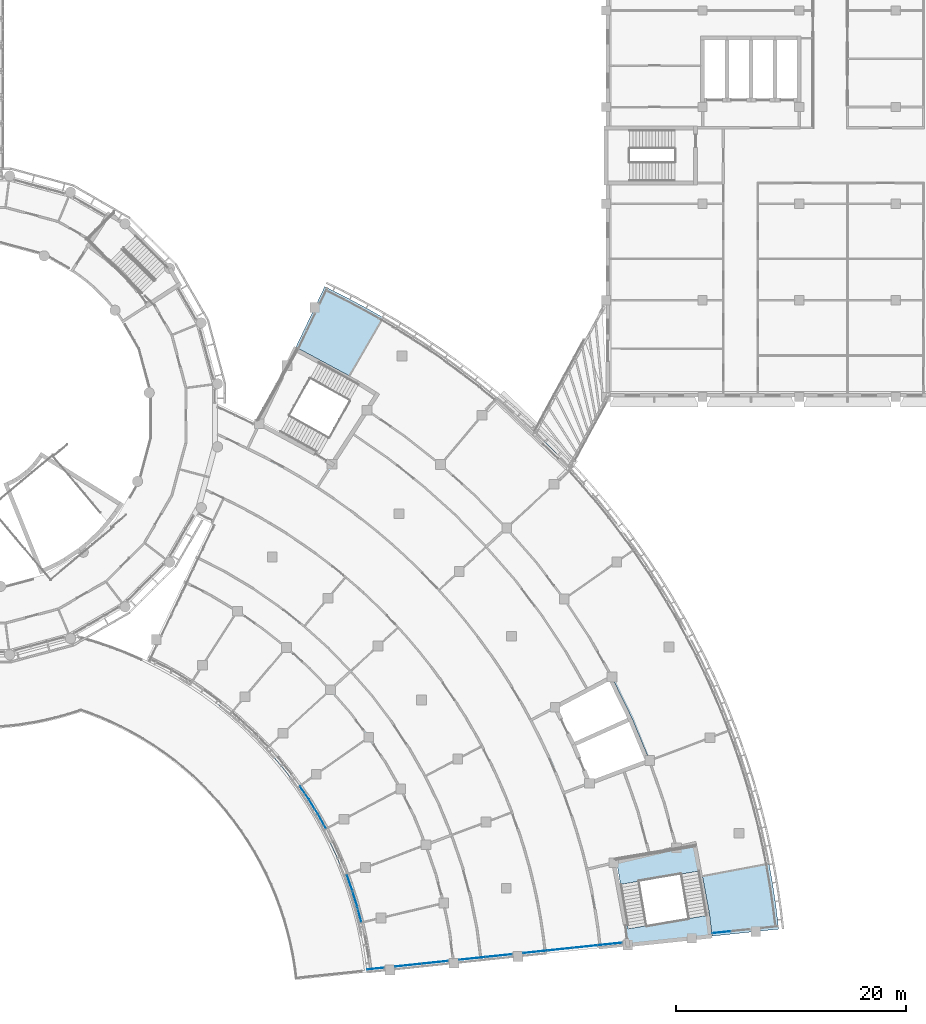
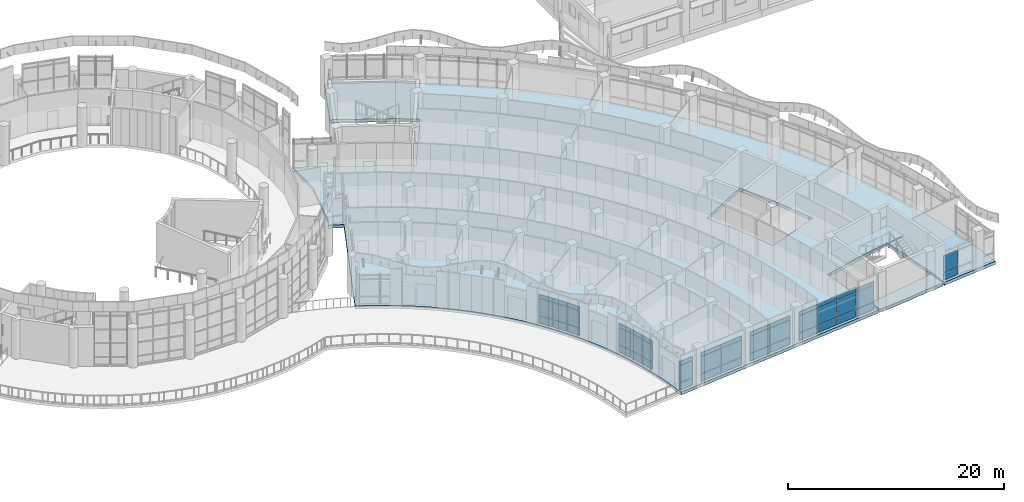
# One storey, part 50 of 136: 47 plates, 3 slabs, 8 elements without a shape of their own.
"""IFC4 building model written with IfcOpenShell, lengths in metres."""

from ifc_helpers import new_model, si_unit, direction, frame, origin, origin_2d, place, context, subcontext, project, spatial, polyline, rectangle, outline, extrude, material, layer, layer_set, type_object, element, aggregate, save


model = new_model("IFC4")

# Units and contexts
model_context = context("Model", 3, precision=1e-05, world=origin(), true_north=direction((0.0, 1.0)))
body_context = subcontext(model_context, "Body", "Model", "MODEL_VIEW")
ifc_project = project(units=[si_unit("LENGTHUNIT", "METRE"), si_unit("AREAUNIT", "SQUARE_METRE"), si_unit("VOLUMEUNIT", "CUBIC_METRE"), si_unit("PLANEANGLEUNIT", "RADIAN"), si_unit("MASSUNIT", "GRAM", prefix="KILO")], contexts=[model_context])

# Site, building, storey
site_placement = place(None, origin())
site = spatial("IfcSite", under=ifc_project, at=site_placement, CompositionType="ELEMENT")
building_placement = place(site_placement, origin())
building = spatial("IfcBuilding", under=site, at=building_placement, Name="Bougainvillea Quay General Hospital", CompositionType="ELEMENT")
storey_placement = place(building_placement, frame((0.0, 0.0, 5.39990234375)))
storey = spatial("IfcBuildingStorey", under=building, at=storey_placement, Name="L01", CompositionType="ELEMENT", Elevation=5.39990234375)

# Curtain wall, plates
ifc_material_1 = material(Name="Aluminium curtain wall system, powder-coated glazed", Category="aluminium")
curtain_wall_type_1 = type_object("IfcCurtainWallType", Name="Unitised curtain wall CW-2100", PredefinedType="NOTDEFINED", material=ifc_material_1)
curtain_wall_1_placement = place(storey_placement, origin())
curtain_wall_1 = element("IfcCurtainWall", 1, at=curtain_wall_1_placement, inside=storey, type_object=curtain_wall_type_1, Name="CW-E05 a21b4", PredefinedType="NOTDEFINED")
ifc_material_2 = material(Name="Insulated aluminium spandrel panel, white", Category="aluminium")
ifc_layer_1 = layer(ifc_material_2, 0.028076171875)
ifc_layer_set_1 = layer_set([ifc_layer_1], Name="Insulated aluminium spandrel panel, white")
plate_type_1 = type_object("IfcPlateType", Name="Insulated spandrel panel white 28", PredefinedType="CURTAIN_PANEL", material=ifc_layer_set_1)
plate_1_placement = place(storey_placement, frame((137.585205078125, 41.152099609375, 0.06005859375), z_axis=(0.0, 0.0, 1.0), x_axis=(0.559675123314, -0.828712107033, 0.0)))
plate_1 = element("IfcPlate", 2, at=plate_1_placement, type_object=plate_type_1, Name="CW-E05 spandrel panel 1.1", PredefinedType="CURTAIN_PANEL", context=body_context, shape_type="SweptSolid", body=[
    extrude(rectangle(XDim=1.366943359375, YDim=0.028076171875, at=origin_2d()), origin(), (0.0, 0.0, 1.0), 0.81005859375),
])
plate_2_placement = place(storey_placement, frame((137.585205078125, 41.152099609375, 2.88037109375), z_axis=(0.0, 0.0, 1.0), x_axis=(0.559675123314, -0.828712107033, 0.0)))
plate_2 = element("IfcPlate", 3, at=plate_2_placement, type_object=plate_type_1, Name="CW-E05 spandrel panel 1.3", PredefinedType="CURTAIN_PANEL", context=body_context, shape_type="SweptSolid", body=[
    extrude(rectangle(XDim=1.366943359375, YDim=0.028076171875, at=origin_2d()), origin(), (0.0, 0.0, 1.0), 0.409912109375),
])
plate_3_placement = place(storey_placement, frame((138.3662109375, 39.9404296875, 0.06005859375), z_axis=(0.0, 0.0, 1.0), x_axis=(0.523926442936, -0.851763513185, 0.0)))
plate_3 = element("IfcPlate", 4, at=plate_3_placement, type_object=plate_type_1, Name="CW-E05 spandrel panel 2.1", PredefinedType="CURTAIN_PANEL", context=body_context, shape_type="SweptSolid", body=[
    extrude(rectangle(XDim=1.39697265625, YDim=0.028076171875, at=origin_2d()), origin(), (0.0, 0.0, 1.0), 0.81005859375),
])
plate_4_placement = place(storey_placement, frame((138.3662109375, 39.9404296875, 2.88037109375), z_axis=(0.0, 0.0, 1.0), x_axis=(0.523926442936, -0.851763513185, 0.0)))
plate_4 = element("IfcPlate", 5, at=plate_4_placement, type_object=plate_type_1, Name="CW-E05 spandrel panel 2.3", PredefinedType="CURTAIN_PANEL", context=body_context, shape_type="SweptSolid", body=[
    extrude(rectangle(XDim=1.39697265625, YDim=0.028076171875, at=origin_2d()), origin(), (0.0, 0.0, 1.0), 0.409912109375),
])
plate_5_placement = place(storey_placement, frame((139.095458984375, 38.697021484375, 0.06005859375), z_axis=(0.0, 0.0, 1.0), x_axis=(0.487229803858, -0.873273793396, 0.0)))
plate_5 = element("IfcPlate", 6, at=plate_5_placement, type_object=plate_type_1, Name="CW-E05 spandrel panel 3.1", PredefinedType="CURTAIN_PANEL", context=body_context, shape_type="SweptSolid", body=[
    extrude(rectangle(XDim=1.366943359375, YDim=0.028076171875, at=origin_2d()), origin(), (0.0, 0.0, 1.0), 0.81005859375),
])
plate_6_placement = place(storey_placement, frame((139.095458984375, 38.697021484375, 2.88037109375), z_axis=(0.0, 0.0, 1.0), x_axis=(0.487229803858, -0.873273793396, 0.0)))
plate_6 = element("IfcPlate", 7, at=plate_6_placement, type_object=plate_type_1, Name="CW-E05 spandrel panel 3.3", PredefinedType="CURTAIN_PANEL", context=body_context, shape_type="SweptSolid", body=[
    extrude(rectangle(XDim=1.366943359375, YDim=0.028076171875, at=origin_2d()), origin(), (0.0, 0.0, 1.0), 0.409912109375),
])

curtain_wall_2_placement = place(storey_placement, origin())
curtain_wall_2 = element("IfcCurtainWall", 8, at=curtain_wall_2_placement, inside=storey, type_object=curtain_wall_type_1, Name="CW-E07 a21b6", PredefinedType="NOTDEFINED")
plate_7_placement = place(storey_placement, frame((141.501220703125, 33.364990234375, 0.06005859375), z_axis=(0.0, 0.0, 1.0), x_axis=(0.332314775986, -0.943168537252, 0.0)))
plate_7 = element("IfcPlate", 9, at=plate_7_placement, type_object=plate_type_1, Name="CW-E07 spandrel panel 1.1", PredefinedType="CURTAIN_PANEL", context=body_context, shape_type="SweptSolid", body=[
    extrude(rectangle(XDim=1.366943359375, YDim=0.028076171875, at=origin_2d()), origin(), (0.0, 0.0, 1.0), 0.81005859375),
])
plate_8_placement = place(storey_placement, frame((141.501220703125, 33.364990234375, 2.88037109375), z_axis=(0.0, 0.0, 1.0), x_axis=(0.332314775986, -0.943168537252, 0.0)))
plate_8 = element("IfcPlate", 10, at=plate_8_placement, type_object=plate_type_1, Name="CW-E07 spandrel panel 1.3", PredefinedType="CURTAIN_PANEL", context=body_context, shape_type="SweptSolid", body=[
    extrude(rectangle(XDim=1.366943359375, YDim=0.028076171875, at=origin_2d()), origin(), (0.0, 0.0, 1.0), 0.409912109375),
])
plate_9_placement = place(storey_placement, frame((141.950927734375, 31.995361328125, 0.06005859375), z_axis=(0.0, 0.0, 1.0), x_axis=(0.291904331163, -0.956447521534, 0.0)))
plate_9 = element("IfcPlate", 11, at=plate_9_placement, type_object=plate_type_1, Name="CW-E07 spandrel panel 2.1", PredefinedType="CURTAIN_PANEL", context=body_context, shape_type="SweptSolid", body=[
    extrude(rectangle(XDim=1.39697265625, YDim=0.028076171875, at=origin_2d()), origin(), (0.0, 0.0, 1.0), 0.81005859375),
])
plate_10_placement = place(storey_placement, frame((141.950927734375, 31.995361328125, 2.88037109375), z_axis=(0.0, 0.0, 1.0), x_axis=(0.291904331163, -0.956447521534, 0.0)))
plate_10 = element("IfcPlate", 12, at=plate_10_placement, type_object=plate_type_1, Name="CW-E07 spandrel panel 2.3", PredefinedType="CURTAIN_PANEL", context=body_context, shape_type="SweptSolid", body=[
    extrude(rectangle(XDim=1.39697265625, YDim=0.028076171875, at=origin_2d()), origin(), (0.0, 0.0, 1.0), 0.409912109375),
])
plate_11_placement = place(storey_placement, frame((142.342529296875, 30.608154296875, 0.06005859375), z_axis=(0.0, 0.0, 1.0), x_axis=(0.250965733479, -0.967995971386, 0.0)))
plate_11 = element("IfcPlate", 13, at=plate_11_placement, type_object=plate_type_1, Name="CW-E07 spandrel panel 3.1", PredefinedType="CURTAIN_PANEL", context=body_context, shape_type="SweptSolid", body=[
    extrude(rectangle(XDim=1.366943359375, YDim=0.028076171875, at=origin_2d()), origin(), (0.0, 0.0, 1.0), 0.81005859375),
])
plate_12_placement = place(storey_placement, frame((142.342529296875, 30.608154296875, 2.88037109375), z_axis=(0.0, 0.0, 1.0), x_axis=(0.250965733479, -0.967995971386, 0.0)))
plate_12 = element("IfcPlate", 14, at=plate_12_placement, type_object=plate_type_1, Name="CW-E07 spandrel panel 3.3", PredefinedType="CURTAIN_PANEL", context=body_context, shape_type="SweptSolid", body=[
    extrude(rectangle(XDim=1.366943359375, YDim=0.028076171875, at=origin_2d()), origin(), (0.0, 0.0, 1.0), 0.409912109375),
])

curtain_wall_type_2 = type_object("IfcCurtainWallType", Name="Unitised curtain wall CW-1556", PredefinedType="NOTDEFINED", material=ifc_material_1)
curtain_wall_3_placement = place(storey_placement, origin())
curtain_wall_3 = element("IfcCurtainWall", 15, at=curtain_wall_3_placement, inside=storey, type_object=curtain_wall_type_2, Name="CW-AE 00", PredefinedType="NOTDEFINED")
plate_13_placement = place(storey_placement, frame((143.76123046875, 25.884033203125, 0.06005859375), z_axis=(0.0, 0.0, 1.0), x_axis=(0.9945220309, 0.104527173765, 0.0)))
plate_13 = element("IfcPlate", 16, at=plate_13_placement, type_object=plate_type_1, Name="CW-AE spandrel panel 1.1", PredefinedType="CURTAIN_PANEL", context=body_context, shape_type="SweptSolid", body=[
    extrude(rectangle(XDim=1.435302734375, YDim=0.028076171875, at=origin_2d()), origin(), (0.0, 0.0, 1.0), 0.81005859375),
])
plate_14_placement = place(storey_placement, frame((143.76123046875, 25.884033203125, 2.88037109375), z_axis=(0.0, 0.0, 1.0), x_axis=(0.9945220309, 0.104527173765, 0.0)))
plate_14 = element("IfcPlate", 17, at=plate_14_placement, type_object=plate_type_1, Name="CW-AE spandrel panel 1.3", PredefinedType="CURTAIN_PANEL", context=body_context, shape_type="SweptSolid", body=[
    extrude(rectangle(XDim=1.435302734375, YDim=0.028076171875, at=origin_2d()), origin(), (0.0, 0.0, 1.0), 0.409912109375),
])

curtain_wall_type_3 = type_object("IfcCurtainWallType", Name="Unitised curtain wall CW-2355", PredefinedType="NOTDEFINED", material=ifc_material_1)
curtain_wall_4_placement = place(storey_placement, origin())
curtain_wall_4 = element("IfcCurtainWall", 18, at=curtain_wall_4_placement, inside=storey, type_object=curtain_wall_type_3, Name="CW-AE 01", PredefinedType="NOTDEFINED")
plate_15_placement = place(storey_placement, frame((146.605712890625, 26.182861328125, 0.06005859375), z_axis=(0.0, 0.0, 1.0), x_axis=(0.9945220309, 0.104527173765, 0.0)))
plate_15 = element("IfcPlate", 19, at=plate_15_placement, type_object=plate_type_1, Name="CW-AE spandrel panel 1.1", PredefinedType="CURTAIN_PANEL", context=body_context, shape_type="SweptSolid", body=[
    extrude(rectangle(XDim=2.264892578125, YDim=0.028076171875, at=origin_2d()), origin(), (0.0, 0.0, 1.0), 0.81005859375),
])
plate_16_placement = place(storey_placement, frame((146.605712890625, 26.182861328125, 2.88037109375), z_axis=(0.0, 0.0, 1.0), x_axis=(0.9945220309, 0.104527173765, 0.0)))
plate_16 = element("IfcPlate", 20, at=plate_16_placement, type_object=plate_type_1, Name="CW-AE spandrel panel 1.3", PredefinedType="CURTAIN_PANEL", context=body_context, shape_type="SweptSolid", body=[
    extrude(rectangle(XDim=2.264892578125, YDim=0.028076171875, at=origin_2d()), origin(), (0.0, 0.0, 1.0), 0.409912109375),
])
plate_17_placement = place(storey_placement, frame((148.917724609375, 26.42578125, 0.06005859375), z_axis=(0.0, 0.0, 1.0), x_axis=(0.9945220309, 0.104527173765, 0.0)))
plate_17 = element("IfcPlate", 21, at=plate_17_placement, type_object=plate_type_1, Name="CW-AE spandrel panel 2.1", PredefinedType="CURTAIN_PANEL", context=body_context, shape_type="SweptSolid", body=[
    extrude(rectangle(XDim=2.264892578125, YDim=0.028076171875, at=origin_2d()), origin(), (0.0, 0.0, 1.0), 0.81005859375),
])
plate_18_placement = place(storey_placement, frame((148.917724609375, 26.42578125, 2.88037109375), z_axis=(0.0, 0.0, 1.0), x_axis=(0.9945220309, 0.104527173765, 0.0)))
plate_18 = element("IfcPlate", 22, at=plate_18_placement, type_object=plate_type_1, Name="CW-AE spandrel panel 2.3", PredefinedType="CURTAIN_PANEL", context=body_context, shape_type="SweptSolid", body=[
    extrude(rectangle(XDim=2.264892578125, YDim=0.028076171875, at=origin_2d()), origin(), (0.0, 0.0, 1.0), 0.409912109375),
])

curtain_wall_5_placement = place(storey_placement, origin())
curtain_wall_5 = element("IfcCurtainWall", 23, at=curtain_wall_5_placement, inside=storey, type_object=curtain_wall_type_3, Name="CW-AE 02", PredefinedType="NOTDEFINED")
plate_19_placement = place(storey_placement, frame((152.174560546875, 26.76806640625, 0.06005859375), z_axis=(0.0, 0.0, 1.0), x_axis=(0.9945220309, 0.104527173765, 0.0)))
plate_19 = element("IfcPlate", 24, at=plate_19_placement, type_object=plate_type_1, Name="CW-AE spandrel panel 1.1", PredefinedType="CURTAIN_PANEL", context=body_context, shape_type="SweptSolid", body=[
    extrude(rectangle(XDim=2.264892578125, YDim=0.028076171875, at=origin_2d()), origin(), (0.0, 0.0, 1.0), 0.81005859375),
])
plate_20_placement = place(storey_placement, frame((152.174560546875, 26.76806640625, 2.88037109375), z_axis=(0.0, 0.0, 1.0), x_axis=(0.9945220309, 0.104527173765, 0.0)))
plate_20 = element("IfcPlate", 25, at=plate_20_placement, type_object=plate_type_1, Name="CW-AE spandrel panel 1.3", PredefinedType="CURTAIN_PANEL", context=body_context, shape_type="SweptSolid", body=[
    extrude(rectangle(XDim=2.264892578125, YDim=0.028076171875, at=origin_2d()), origin(), (0.0, 0.0, 1.0), 0.409912109375),
])
plate_21_placement = place(storey_placement, frame((154.48681640625, 27.01123046875, 0.06005859375), z_axis=(0.0, 0.0, 1.0), x_axis=(0.9945220309, 0.104527173765, 0.0)))
plate_21 = element("IfcPlate", 26, at=plate_21_placement, type_object=plate_type_1, Name="CW-AE spandrel panel 2.1", PredefinedType="CURTAIN_PANEL", context=body_context, shape_type="SweptSolid", body=[
    extrude(rectangle(XDim=2.264892578125, YDim=0.028076171875, at=origin_2d()), origin(), (0.0, 0.0, 1.0), 0.81005859375),
])
plate_22_placement = place(storey_placement, frame((154.48681640625, 27.01123046875, 2.88037109375), z_axis=(0.0, 0.0, 1.0), x_axis=(0.9945220309, 0.104527173765, 0.0)))
plate_22 = element("IfcPlate", 27, at=plate_22_placement, type_object=plate_type_1, Name="CW-AE spandrel panel 2.3", PredefinedType="CURTAIN_PANEL", context=body_context, shape_type="SweptSolid", body=[
    extrude(rectangle(XDim=2.264892578125, YDim=0.028076171875, at=origin_2d()), origin(), (0.0, 0.0, 1.0), 0.409912109375),
])

curtain_wall_type_4 = type_object("IfcCurtainWallType", Name="Unitised curtain wall CW-2178", PredefinedType="NOTDEFINED", material=ifc_material_1)
curtain_wall_6_placement = place(storey_placement, origin())
curtain_wall_6 = element("IfcCurtainWall", 28, at=curtain_wall_6_placement, inside=storey, type_object=curtain_wall_type_4, Name="CW-AE 03", PredefinedType="NOTDEFINED")
plate_23_placement = place(storey_placement, frame((157.655517578125, 27.34423828125, 0.06005859375), z_axis=(0.0, 0.0, 1.0), x_axis=(0.9945220309, 0.104527173765, 0.0)))
plate_23 = element("IfcPlate", 29, at=plate_23_placement, type_object=plate_type_1, Name="CW-AE spandrel panel 1.1", PredefinedType="CURTAIN_PANEL", context=body_context, shape_type="SweptSolid", body=[
    extrude(rectangle(XDim=2.08740234375, YDim=0.028076171875, at=origin_2d()), origin(), (0.0, 0.0, 1.0), 0.81005859375),
])
plate_24_placement = place(storey_placement, frame((157.655517578125, 27.34423828125, 2.88037109375), z_axis=(0.0, 0.0, 1.0), x_axis=(0.9945220309, 0.104527173765, 0.0)))
plate_24 = element("IfcPlate", 30, at=plate_24_placement, type_object=plate_type_1, Name="CW-AE spandrel panel 1.3", PredefinedType="CURTAIN_PANEL", context=body_context, shape_type="SweptSolid", body=[
    extrude(rectangle(XDim=2.08740234375, YDim=0.028076171875, at=origin_2d()), origin(), (0.0, 0.0, 1.0), 0.409912109375),
])
plate_25_placement = place(storey_placement, frame((159.805908203125, 27.5703125, 0.06005859375), z_axis=(0.0, 0.0, 1.0), x_axis=(0.9945220309, 0.104527173765, 0.0)))
plate_25 = element("IfcPlate", 31, at=plate_25_placement, type_object=plate_type_1, Name="CW-AE spandrel panel 2.1", PredefinedType="CURTAIN_PANEL", context=body_context, shape_type="SweptSolid", body=[
    extrude(rectangle(XDim=2.117431640625, YDim=0.028076171875, at=origin_2d()), origin(), (0.0, 0.0, 1.0), 0.81005859375),
])
plate_26_placement = place(storey_placement, frame((159.805908203125, 27.5703125, 2.88037109375), z_axis=(0.0, 0.0, 1.0), x_axis=(0.9945220309, 0.104527173765, 0.0)))
plate_26 = element("IfcPlate", 32, at=plate_26_placement, type_object=plate_type_1, Name="CW-AE spandrel panel 2.3", PredefinedType="CURTAIN_PANEL", context=body_context, shape_type="SweptSolid", body=[
    extrude(rectangle(XDim=2.117431640625, YDim=0.028076171875, at=origin_2d()), origin(), (0.0, 0.0, 1.0), 0.409912109375),
])
plate_27_placement = place(storey_placement, frame((161.971435546875, 27.7978515625, 0.06005859375), z_axis=(0.0, 0.0, 1.0), x_axis=(0.9945220309, 0.104527173765, 0.0)))
plate_27 = element("IfcPlate", 33, at=plate_27_placement, type_object=plate_type_1, Name="CW-AE spandrel panel 3.1", PredefinedType="CURTAIN_PANEL", context=body_context, shape_type="SweptSolid", body=[
    extrude(rectangle(XDim=2.117431640625, YDim=0.028076171875, at=origin_2d()), origin(), (0.0, 0.0, 1.0), 0.81005859375),
])
plate_28_placement = place(storey_placement, frame((161.971435546875, 27.7978515625, 2.88037109375), z_axis=(0.0, 0.0, 1.0), x_axis=(0.9945220309, 0.104527173765, 0.0)))
plate_28 = element("IfcPlate", 34, at=plate_28_placement, type_object=plate_type_1, Name="CW-AE spandrel panel 3.3", PredefinedType="CURTAIN_PANEL", context=body_context, shape_type="SweptSolid", body=[
    extrude(rectangle(XDim=2.117431640625, YDim=0.028076171875, at=origin_2d()), origin(), (0.0, 0.0, 1.0), 0.409912109375),
])
plate_29_placement = place(storey_placement, frame((164.1220703125, 28.02392578125, 0.06005859375), z_axis=(0.0, 0.0, 1.0), x_axis=(0.9945220309, 0.104527173765, 0.0)))
plate_29 = element("IfcPlate", 35, at=plate_29_placement, type_object=plate_type_1, Name="CW-AE spandrel panel 4.1", PredefinedType="CURTAIN_PANEL", context=body_context, shape_type="SweptSolid", body=[
    extrude(rectangle(XDim=2.08740234375, YDim=0.028076171875, at=origin_2d()), origin(), (0.0, 0.0, 1.0), 0.81005859375),
])
plate_30_placement = place(storey_placement, frame((164.1220703125, 28.02392578125, 2.88037109375), z_axis=(0.0, 0.0, 1.0), x_axis=(0.9945220309, 0.104527173765, 0.0)))
plate_30 = element("IfcPlate", 36, at=plate_30_placement, type_object=plate_type_1, Name="CW-AE spandrel panel 4.3", PredefinedType="CURTAIN_PANEL", context=body_context, shape_type="SweptSolid", body=[
    extrude(rectangle(XDim=2.08740234375, YDim=0.028076171875, at=origin_2d()), origin(), (0.0, 0.0, 1.0), 0.409912109375),
])

# Curtain wall, plate
curtain_wall_type_5 = type_object("IfcCurtainWallType", Name="Unitised curtain wall CW-1691", PredefinedType="NOTDEFINED", material=ifc_material_1)
curtain_wall_7_placement = place(storey_placement, origin())
curtain_wall_7 = element("IfcCurtainWall", 37, at=curtain_wall_7_placement, inside=storey, type_object=curtain_wall_type_5, Name="CW-AE 04", PredefinedType="NOTDEFINED")
plate_31_placement = place(storey_placement, frame((173.8525390625, 29.046630859375, 0.06005859375), z_axis=(0.0, 0.0, 1.0), x_axis=(0.9945220309, 0.104527173765, 0.0)))
plate_31 = element("IfcPlate", 38, at=plate_31_placement, type_object=plate_type_1, Name="CW-AE spandrel panel 1.1", PredefinedType="CURTAIN_PANEL", context=body_context, shape_type="SweptSolid", body=[
    extrude(rectangle(XDim=1.60009765625, YDim=0.028076171875, at=origin_2d()), origin(), (0.0, 0.0, 1.0), 0.81005859375),
])

# Plate
ifc_material_3 = material(Name="Low-e laminated glass, solar control", Category="glass")
ifc_layer_2 = layer(ifc_material_3, 0.028076171875)
ifc_layer_set_2 = layer_set([ifc_layer_2], Name="Low-e laminated glass, solar control")
plate_type_2 = type_object("IfcPlateType", Name="Low-e laminated vision glass 28", PredefinedType="CURTAIN_PANEL", material=ifc_layer_set_2)
plate_32_placement = place(storey_placement, frame((137.585205078125, 41.152099609375, 0.93017578125), z_axis=(0.0, 0.0, 1.0), x_axis=(0.559675123314, -0.828712107033, 0.0)))
plate_32 = element("IfcPlate", 39, at=plate_32_placement, type_object=plate_type_2, Name="CW-E05 vision glass panel 1.2", PredefinedType="CURTAIN_PANEL", context=body_context, shape_type="SweptSolid", body=[
    extrude(rectangle(XDim=1.366943359375, YDim=0.028076171875, at=origin_2d()), origin(), (0.0, 0.0, 1.0), 1.889892578125),
])

plate_33_placement = place(storey_placement, frame((138.3662109375, 39.9404296875, 0.93017578125), z_axis=(0.0, 0.0, 1.0), x_axis=(0.523926442936, -0.851763513185, 0.0)))
plate_33 = element("IfcPlate", 40, at=plate_33_placement, type_object=plate_type_2, Name="CW-E05 vision glass panel 2.2", PredefinedType="CURTAIN_PANEL", context=body_context, shape_type="SweptSolid", body=[
    extrude(rectangle(XDim=1.39697265625, YDim=0.028076171875, at=origin_2d()), origin(), (0.0, 0.0, 1.0), 1.889892578125),
])

plate_34_placement = place(storey_placement, frame((139.095458984375, 38.697021484375, 0.93017578125), z_axis=(0.0, 0.0, 1.0), x_axis=(0.487229803858, -0.873273793396, 0.0)))
plate_34 = element("IfcPlate", 41, at=plate_34_placement, type_object=plate_type_2, Name="CW-E05 vision glass panel 3.2", PredefinedType="CURTAIN_PANEL", context=body_context, shape_type="SweptSolid", body=[
    extrude(rectangle(XDim=1.366943359375, YDim=0.028076171875, at=origin_2d()), origin(), (0.0, 0.0, 1.0), 1.889892578125),
])

aggregate(curtain_wall_1, [plate_1, plate_32, plate_2, plate_3, plate_33, plate_4, plate_5, plate_34, plate_6])

plate_35_placement = place(storey_placement, frame((141.501220703125, 33.364990234375, 0.93017578125), z_axis=(0.0, 0.0, 1.0), x_axis=(0.332314775986, -0.943168537252, 0.0)))
plate_35 = element("IfcPlate", 42, at=plate_35_placement, type_object=plate_type_2, Name="CW-E07 vision glass panel 1.2", PredefinedType="CURTAIN_PANEL", context=body_context, shape_type="SweptSolid", body=[
    extrude(rectangle(XDim=1.366943359375, YDim=0.028076171875, at=origin_2d()), origin(), (0.0, 0.0, 1.0), 1.889892578125),
])

plate_36_placement = place(storey_placement, frame((141.950927734375, 31.995361328125, 0.93017578125), z_axis=(0.0, 0.0, 1.0), x_axis=(0.291904331163, -0.956447521534, 0.0)))
plate_36 = element("IfcPlate", 43, at=plate_36_placement, type_object=plate_type_2, Name="CW-E07 vision glass panel 2.2", PredefinedType="CURTAIN_PANEL", context=body_context, shape_type="SweptSolid", body=[
    extrude(rectangle(XDim=1.39697265625, YDim=0.028076171875, at=origin_2d()), origin(), (0.0, 0.0, 1.0), 1.889892578125),
])

plate_37_placement = place(storey_placement, frame((142.342529296875, 30.608154296875, 0.93017578125), z_axis=(0.0, 0.0, 1.0), x_axis=(0.250965733479, -0.967995971386, 0.0)))
plate_37 = element("IfcPlate", 44, at=plate_37_placement, type_object=plate_type_2, Name="CW-E07 vision glass panel 3.2", PredefinedType="CURTAIN_PANEL", context=body_context, shape_type="SweptSolid", body=[
    extrude(rectangle(XDim=1.366943359375, YDim=0.028076171875, at=origin_2d()), origin(), (0.0, 0.0, 1.0), 1.889892578125),
])

aggregate(curtain_wall_2, [plate_7, plate_35, plate_8, plate_9, plate_36, plate_10, plate_11, plate_37, plate_12])

plate_38_placement = place(storey_placement, frame((143.76123046875, 25.884033203125, 0.93017578125), z_axis=(0.0, 0.0, 1.0), x_axis=(0.9945220309, 0.104527173765, 0.0)))
plate_38 = element("IfcPlate", 45, at=plate_38_placement, type_object=plate_type_2, Name="CW-AE vision glass panel 1.2", PredefinedType="CURTAIN_PANEL", context=body_context, shape_type="SweptSolid", body=[
    extrude(rectangle(XDim=1.435302734375, YDim=0.028076171875, at=origin_2d()), origin(), (0.0, 0.0, 1.0), 1.889892578125),
])

aggregate(curtain_wall_3, [plate_13, plate_38, plate_14])

plate_39_placement = place(storey_placement, frame((146.605712890625, 26.182861328125, 0.93017578125), z_axis=(0.0, 0.0, 1.0), x_axis=(0.9945220309, 0.104527173765, 0.0)))
plate_39 = element("IfcPlate", 46, at=plate_39_placement, type_object=plate_type_2, Name="CW-AE vision glass panel 1.2", PredefinedType="CURTAIN_PANEL", context=body_context, shape_type="SweptSolid", body=[
    extrude(rectangle(XDim=2.264892578125, YDim=0.028076171875, at=origin_2d()), origin(), (0.0, 0.0, 1.0), 1.889892578125),
])

plate_40_placement = place(storey_placement, frame((148.917724609375, 26.42578125, 0.93017578125), z_axis=(0.0, 0.0, 1.0), x_axis=(0.9945220309, 0.104527173765, 0.0)))
plate_40 = element("IfcPlate", 47, at=plate_40_placement, type_object=plate_type_2, Name="CW-AE vision glass panel 2.2", PredefinedType="CURTAIN_PANEL", context=body_context, shape_type="SweptSolid", body=[
    extrude(rectangle(XDim=2.264892578125, YDim=0.028076171875, at=origin_2d()), origin(), (0.0, 0.0, 1.0), 1.889892578125),
])

aggregate(curtain_wall_4, [plate_15, plate_39, plate_16, plate_17, plate_40, plate_18])

plate_41_placement = place(storey_placement, frame((152.174560546875, 26.76806640625, 0.93017578125), z_axis=(0.0, 0.0, 1.0), x_axis=(0.9945220309, 0.104527173765, 0.0)))
plate_41 = element("IfcPlate", 48, at=plate_41_placement, type_object=plate_type_2, Name="CW-AE vision glass panel 1.2", PredefinedType="CURTAIN_PANEL", context=body_context, shape_type="SweptSolid", body=[
    extrude(rectangle(XDim=2.264892578125, YDim=0.028076171875, at=origin_2d()), origin(), (0.0, 0.0, 1.0), 1.889892578125),
])

plate_42_placement = place(storey_placement, frame((154.48681640625, 27.01123046875, 0.93017578125), z_axis=(0.0, 0.0, 1.0), x_axis=(0.9945220309, 0.104527173765, 0.0)))
plate_42 = element("IfcPlate", 49, at=plate_42_placement, type_object=plate_type_2, Name="CW-AE vision glass panel 2.2", PredefinedType="CURTAIN_PANEL", context=body_context, shape_type="SweptSolid", body=[
    extrude(rectangle(XDim=2.264892578125, YDim=0.028076171875, at=origin_2d()), origin(), (0.0, 0.0, 1.0), 1.889892578125),
])

aggregate(curtain_wall_5, [plate_19, plate_41, plate_20, plate_21, plate_42, plate_22])

plate_43_placement = place(storey_placement, frame((157.655517578125, 27.34423828125, 0.93017578125), z_axis=(0.0, 0.0, 1.0), x_axis=(0.9945220309, 0.104527173765, 0.0)))
plate_43 = element("IfcPlate", 50, at=plate_43_placement, type_object=plate_type_2, Name="CW-AE vision glass panel 1.2", PredefinedType="CURTAIN_PANEL", context=body_context, shape_type="SweptSolid", body=[
    extrude(rectangle(XDim=2.08740234375, YDim=0.028076171875, at=origin_2d()), origin(), (0.0, 0.0, 1.0), 1.889892578125),
])

plate_44_placement = place(storey_placement, frame((159.805908203125, 27.5703125, 0.93017578125), z_axis=(0.0, 0.0, 1.0), x_axis=(0.9945220309, 0.104527173765, 0.0)))
plate_44 = element("IfcPlate", 51, at=plate_44_placement, type_object=plate_type_2, Name="CW-AE vision glass panel 2.2", PredefinedType="CURTAIN_PANEL", context=body_context, shape_type="SweptSolid", body=[
    extrude(rectangle(XDim=2.117431640625, YDim=0.028076171875, at=origin_2d()), origin(), (0.0, 0.0, 1.0), 1.889892578125),
])

plate_45_placement = place(storey_placement, frame((161.971435546875, 27.7978515625, 0.93017578125), z_axis=(0.0, 0.0, 1.0), x_axis=(0.9945220309, 0.104527173765, 0.0)))
plate_45 = element("IfcPlate", 52, at=plate_45_placement, type_object=plate_type_2, Name="CW-AE vision glass panel 3.2", PredefinedType="CURTAIN_PANEL", context=body_context, shape_type="SweptSolid", body=[
    extrude(rectangle(XDim=2.117431640625, YDim=0.028076171875, at=origin_2d()), origin(), (0.0, 0.0, 1.0), 1.889892578125),
])

plate_46_placement = place(storey_placement, frame((164.1220703125, 28.02392578125, 0.93017578125), z_axis=(0.0, 0.0, 1.0), x_axis=(0.9945220309, 0.104527173765, 0.0)))
plate_46 = element("IfcPlate", 53, at=plate_46_placement, type_object=plate_type_2, Name="CW-AE vision glass panel 4.2", PredefinedType="CURTAIN_PANEL", context=body_context, shape_type="SweptSolid", body=[
    extrude(rectangle(XDim=2.08740234375, YDim=0.028076171875, at=origin_2d()), origin(), (0.0, 0.0, 1.0), 1.889892578125),
])

aggregate(curtain_wall_6, [plate_23, plate_43, plate_24, plate_25, plate_44, plate_26, plate_27, plate_45, plate_28, plate_29, plate_46, plate_30])

plate_47_placement = place(storey_placement, frame((173.8525390625, 29.046630859375, 0.93017578125), z_axis=(0.0, 0.0, 1.0), x_axis=(0.9945220309, 0.104527173765, 0.0)))
plate_47 = element("IfcPlate", 54, at=plate_47_placement, type_object=plate_type_2, Name="CW-AE vision glass panel 1.2", PredefinedType="CURTAIN_PANEL", context=body_context, shape_type="SweptSolid", body=[
    extrude(rectangle(XDim=1.60009765625, YDim=0.028076171875, at=origin_2d()), origin(), (0.0, 0.0, 1.0), 1.889892578125),
])

aggregate(curtain_wall_7, [plate_31, plate_47])

# Slabs
ifc_material_4 = material(Name="Concrete C35", Category="concrete")
ifc_layer_3 = layer(ifc_material_4, 0.35009765625)
ifc_layer_set_3 = layer_set([ifc_layer_3], Name="Concrete C35")
slab_type_1 = type_object("IfcSlabType", Name="RC FLAT SLAB 350 C35", PredefinedType="FLOOR", material=ifc_layer_set_3)
slab_1_placement = place(storey_placement, frame((0.0, 0.0, -0.349853515625)))
element("IfcSlab", 55, at=slab_1_placement, inside=storey, type_object=slab_type_1, Name="Slab S4 L01", PredefinedType="FLOOR", context=body_context, shape_type="SweptSolid", body=[
    extrude(outline(polyline([(166.98291015625, 61.510986328125), (168.177978515625, 59.705078125), (169.31591796875, 57.862060546875), (170.39599609375, 55.985107421875), (171.41796875, 54.075927734375), (172.381103515625, 52.135986328125), (173.282958984375, 50.1669921875), (174.1240234375, 48.1708984375), (174.902099609375, 46.14990234375), (175.617919921875, 44.10595703125), (176.27001953125, 42.041015625), (176.85791015625, 39.9560546875), (177.381103515625, 37.85498046875), (177.839111328125, 35.738037109375), (178.23095703125, 33.60791015625), (178.556884765625, 31.467041015625), (178.81689453125, 29.31689453125), (173.0234375, 28.7080078125), (173.004638671875, 28.88623046875), (172.829345703125, 28.867919921875), (173.001708984375, 28.888916015625), (172.77734375, 30.736572265625), (172.602783203125, 30.720947265625), (172.77392578125, 30.758544921875), (171.68310546875, 36.60107421875), (171.5166015625, 36.570068359375), (171.689697265625, 36.611083984375), (171.60888671875, 36.95166015625), (165.155517578125, 35.423583984375), (164.694091796875, 35.344970703125), (164.694091796875, 35.344970703125), (164.698974609375, 35.3154296875), (164.262451171875, 35.2119140625), (164.337158203125, 34.878662109375), (165.296875, 29.71337890625), (165.514404296875, 27.9189453125), (143.013916015625, 25.553955078125), (142.887939453125, 26.597900390625), (142.72900390625, 27.637939453125), (142.5390625, 28.673095703125), (142.31591796875, 29.700927734375), (142.06201171875, 30.721923828125), (141.777099609375, 31.73388671875), (141.4599609375, 32.737060546875), (141.112060546875, 33.72998046875), (140.73388671875, 34.7119140625), (140.325927734375, 35.680908203125), (139.887939453125, 36.636962890625), (139.419921875, 37.580078125), (138.924072265625, 38.507080078125), (138.39892578125, 39.4189453125), (137.845947265625, 40.31396484375), (137.26611328125, 41.19091796875), (136.658935546875, 42.050048828125), (136.02587890625, 42.889892578125), (135.365966796875, 43.7099609375), (134.681884765625, 44.509033203125), (133.97412109375, 45.285888671875), (133.241943359375, 46.0419921875), (132.486083984375, 46.77392578125), (131.708984375, 47.48193359375), (130.909912109375, 48.166015625), (130.090087890625, 48.825927734375), (129.25, 49.458984375), (128.39111328125, 50.06591796875), (127.513916015625, 50.64599609375), (126.618896484375, 51.198974609375), (125.70703125, 51.72412109375), (124.780029296875, 52.219970703125), (123.8369140625, 52.68798828125), (129.52001953125, 64.60205078125), (128.18310546875, 65.239990234375), (128.60107421875, 65.964111328125), (130.02001953125, 71.259033203125), (130.02001953125, 75.0), (133.4951171875, 73.34228515625), (133.419677734375, 73.184326171875), (133.726318359375, 73.03369140625), (138.353271484375, 70.54345703125), (140.03515625, 69.4970703125), (140.2197265625, 69.791015625), (144.122802734375, 75.84130859375), (143.828857421875, 76.031005859375), (143.733154296875, 75.8828125), (143.824951171875, 76.030029296875), (142.244140625, 77.013671875), (142.14697265625, 76.867919921875), (142.224853515625, 77.02490234375), (136.989990234375, 79.83642578125), (136.909912109375, 79.68701171875), (136.986328125, 79.84765625), (136.827880859375, 79.923095703125), (139.3359375, 85.180908203125), (141.27587890625, 84.218017578125), (143.18505859375, 83.196044921875), (145.06201171875, 82.115966796875), (146.905029296875, 80.97802734375), (148.7109375, 79.782958984375), (150.47998046875, 78.532958984375), (152.208984375, 77.22900390625), (153.89697265625, 75.8720703125), (155.5419921875, 74.464111328125), (157.14306640625, 73.0048828125), (158.697021484375, 71.4970703125), (160.205078125, 69.943115234375), (161.6640625, 68.342041015625), (163.072021484375, 66.697021484375), (164.428955078125, 65.009033203125), (165.73291015625, 63.280029296875), (166.98291015625, 61.510986328125)]), holes=[polyline([(164.38671875, 51.0712890625), (164.22265625, 51.380615234375), (159.142333984375, 48.685546875), (159.301513671875, 48.3798828125), (160.814453125, 45.2880859375), (162.132080078125, 42.10693359375), (162.255859375, 41.78564453125), (167.637451171875, 43.810791015625), (167.51416015625, 44.138427734375), (167.347900390625, 44.07568359375), (167.5068359375, 44.1416015625), (166.059814453125, 47.6416015625), (165.89599609375, 47.580078125), (166.05078125, 47.662109375), (164.384033203125, 51.063720703125), (164.2294921875, 50.988037109375), (164.38671875, 51.0712890625)])]), origin(), (0.0, 0.0, 1.0), 0.349853515625),
])
slab_2_placement = place(storey_placement, frame((0.0, 0.0, -0.349853515625)))
element("IfcSlab", 56, at=slab_2_placement, inside=storey, type_object=slab_type_1, Name="Stair landing floor ST-E2 L01", PredefinedType="FLOOR", context=body_context, shape_type="SweptSolid", body=[
    extrude(outline(polyline([(169.1787109375, 28.2578125), (165.95751953125, 27.919189453125), (165.94921875, 27.968505859375), (165.68798828125, 27.94091796875), (165.469970703125, 29.739990234375), (165.448486328125, 29.879638671875), (165.501220703125, 29.902587890625), (165.55712890625, 29.9208984375), (165.61376953125, 29.93359375), (165.71484375, 29.341552734375), (172.57568359375, 30.5087890625), (172.47509765625, 31.10107421875), (172.53271484375, 31.10791015625), (172.54345703125, 31.108154296875), (172.60302734375, 30.720947265625), (172.7626953125, 29.406005859375), (172.8515625, 28.8828125), (172.82666015625, 28.87841796875), (172.84912109375, 28.694091796875), (169.952392578125, 28.389404296875), (169.1787109375, 28.2578125)])), origin(), (0.0, 0.0, 1.0), 0.349853515625),
])

# Stair, slab
stair_type = type_object("IfcStairType", Name="Stair half-turn 1650 wide", PredefinedType="HALF_TURN_STAIR", material=ifc_material_4)
stair_placement = place(storey_placement, origin())
stair = element("IfcStair", 57, at=stair_placement, inside=storey, type_object=stair_type, Name="L01 stair ST-E2", PredefinedType="HALF_TURN_STAIR")
ifc_layer_4 = layer(ifc_material_4, 0.199951171875)
ifc_layer_set_4 = layer_set([ifc_layer_4], Name="Concrete C35")
slab_type_2 = type_object("IfcSlabType", Name="Stair landing 200", PredefinedType="LANDING", material=ifc_layer_set_4)
slab_3_placement = place(storey_placement, frame((0.0, 0.0, 2.050048828125)))
slab_3 = element("IfcSlab", 58, at=slab_3_placement, type_object=slab_type_2, Name="ST-E2 landing 1", PredefinedType="LANDING", context=body_context, shape_type="SweptSolid", body=[
    extrude(outline(polyline([(171.917236328125, 34.373779296875), (171.544677734375, 36.563232421875), (164.685302734375, 35.396240234375), (165.057861328125, 33.206787109375), (171.917236328125, 34.373779296875)])), origin(), (0.0, 0.0, 1.0), 0.199951171875),
])
aggregate(stair, [slab_3])

save(model, "model.ifc")
